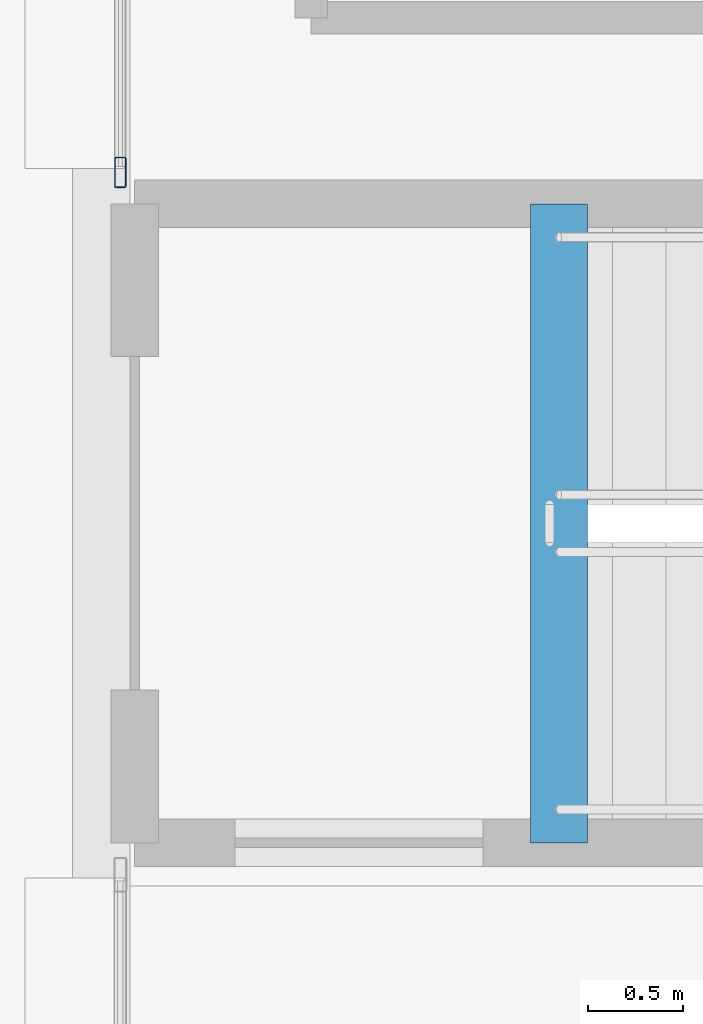
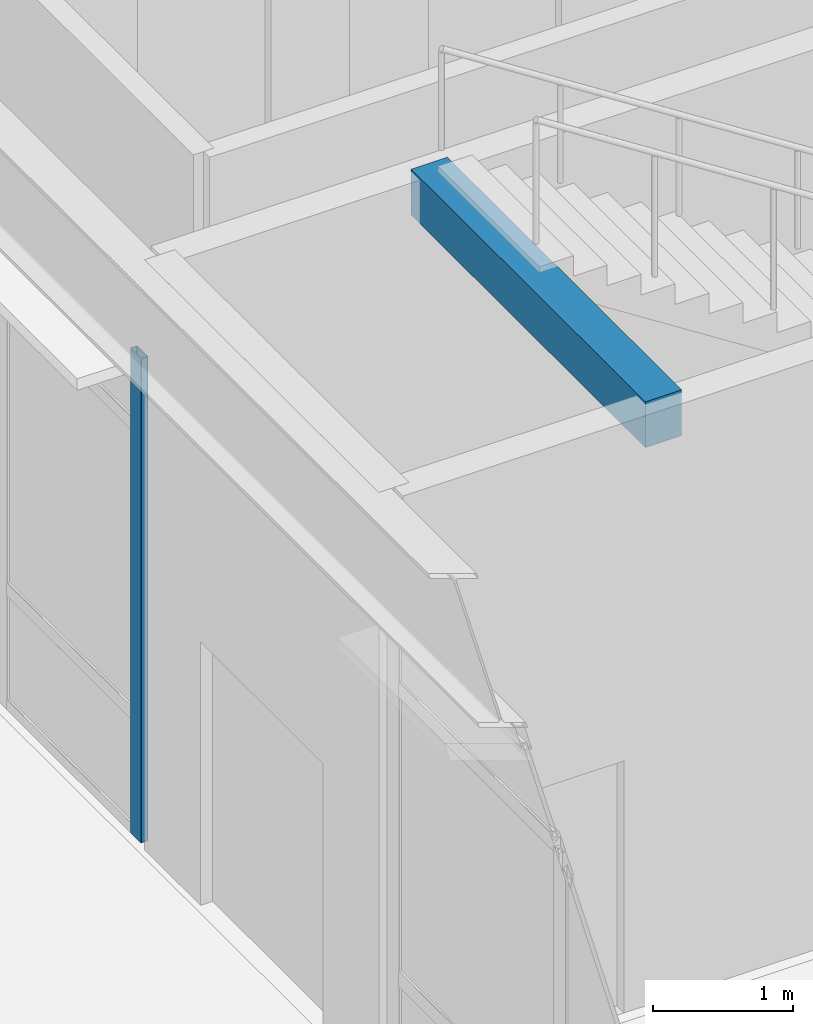
# One storey, part 97 of 165: 1 beam, 1 member, 1 element without a shape of its own.
"""IFC4 building model written with IfcOpenShell, lengths in metres."""

from ifc_helpers import new_model, si_unit, direction, frame, origin, origin_2d, place, context, subcontext, project, spatial, rectangle, hollow_rectangle, extrude, material, layer, layer_set, material_profile, profile_set, type_object, element, aggregate, save


model = new_model("IFC4")

# Units and contexts
model_context = context("Model", 3, precision=1e-05, world=origin(), true_north=direction((0.0, 1.0)))
body_context = subcontext(model_context, "Body", "Model", "MODEL_VIEW")
ifc_project = project(units=[si_unit("LENGTHUNIT", "METRE"), si_unit("AREAUNIT", "SQUARE_METRE"), si_unit("VOLUMEUNIT", "CUBIC_METRE"), si_unit("PLANEANGLEUNIT", "RADIAN"), si_unit("MASSUNIT", "GRAM", prefix="KILO")], contexts=[model_context])

# Site, building, storey
site_placement = place(None, origin())
site = spatial("IfcSite", under=ifc_project, at=site_placement, CompositionType="ELEMENT")
building_placement = place(site_placement, origin())
building = spatial("IfcBuilding", under=site, at=building_placement, Name="Kazehara Bluff Congress Hotel", CompositionType="ELEMENT")
storey_placement = place(building_placement, origin())
storey = spatial("IfcBuildingStorey", under=building, at=storey_placement, Name="L00", CompositionType="ELEMENT", Elevation=0.0)

# Curtain wall, member
ifc_material_1 = material(Name="Anodised aluminium", Category="aluminium")
ifc_layer = layer(ifc_material_1, 0.159912109375)
ifc_layer_set = layer_set([ifc_layer], Name="Anodised aluminium")
curtain_wall_type = type_object("IfcCurtainWallType", Name="TP-CW-102", PredefinedType="NOTDEFINED", material=ifc_layer_set)
curtain_wall_placement = place(storey_placement, origin())
curtain_wall = element("IfcCurtainWall", 1, at=curtain_wall_placement, inside=storey, type_object=curtain_wall_type, Name="L00 curtain wall CW-102 CW-ENC-V5-L00-14380-5410", PredefinedType="NOTDEFINED")
ifc_material_2 = material(Name="Anodised aluminium", Category="aluminium")
ifc_material_profile_1 = material_profile(ifc_material_2, hollow_rectangle(XDim=0.06005859375, YDim=0.159912109375, WallThickness=0.00390625, InnerFilletRadius=0.00390625, OuterFilletRadius=0.008056640625, at=origin_2d()))
ifc_profile_set_1 = profile_set([ifc_material_profile_1], Name="Anodised aluminium")
member_type = type_object("IfcMemberType", Name="TP-CWM-01", PredefinedType="MULLION", material=ifc_profile_set_1)
member_placement = place(storey_placement, frame((143.800048828125, 52.18994140625, 0.0), z_axis=(0.0, 0.0, 1.0), x_axis=(-1.0, 0.0, 0.0)))
member = element("IfcMember", 2, at=member_placement, type_object=member_type, Name="CW-102 mullion 1", PredefinedType="MULLION", context=body_context, shape_type="SweptSolid", body=[
    extrude(hollow_rectangle(XDim=0.06005859375, YDim=0.159912109375, WallThickness=0.00390625, InnerFilletRadius=0.00390625, OuterFilletRadius=0.008056640625, at=origin_2d()), origin(), (0.0, 0.0, 1.0), 4.22509765625),
])
aggregate(curtain_wall, [member])

# Beam
ifc_material_3 = material(Name="Concrete C40/50", Category="concrete")
ifc_material_profile_2 = material_profile(ifc_material_3, rectangle(XDim=0.300048828125, YDim=0.39990234375, at=origin_2d()))
ifc_profile_set_2 = profile_set([ifc_material_profile_2], Name="Concrete C40/50")
beam_type = type_object("IfcBeamType", Name="TP-LN-02", PredefinedType="LINTEL", material=ifc_profile_set_2)
beam_placement = place(storey_placement, frame((146.10009765625, 48.675048828125, 4.969970703125), z_axis=(0.0, 1.0, 0.0), x_axis=(-1.0, 0.0, 0.0)))
element("IfcBeam", 3, at=beam_placement, inside=storey, type_object=beam_type, Name="L01 ST-11 stairwell trimmer beam", PredefinedType="LINTEL", context=body_context, shape_type="SweptSolid", body=[
    extrude(rectangle(XDim=0.300048828125, YDim=0.39990234375, at=origin_2d()), origin(), (0.0, 0.0, 1.0), 3.349853515625),
])

save(model, "model.ifc")
